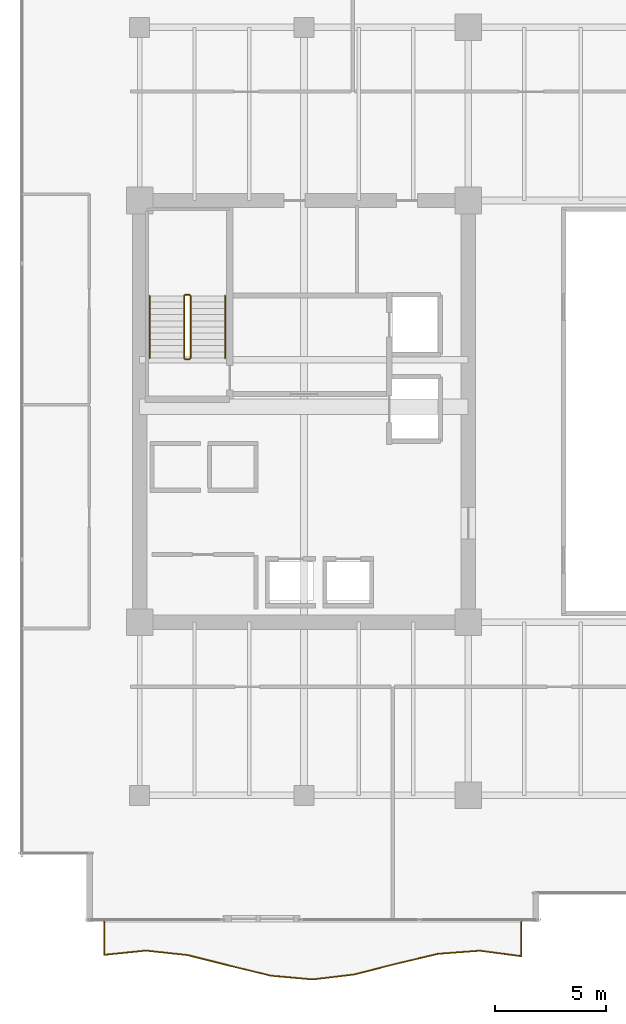
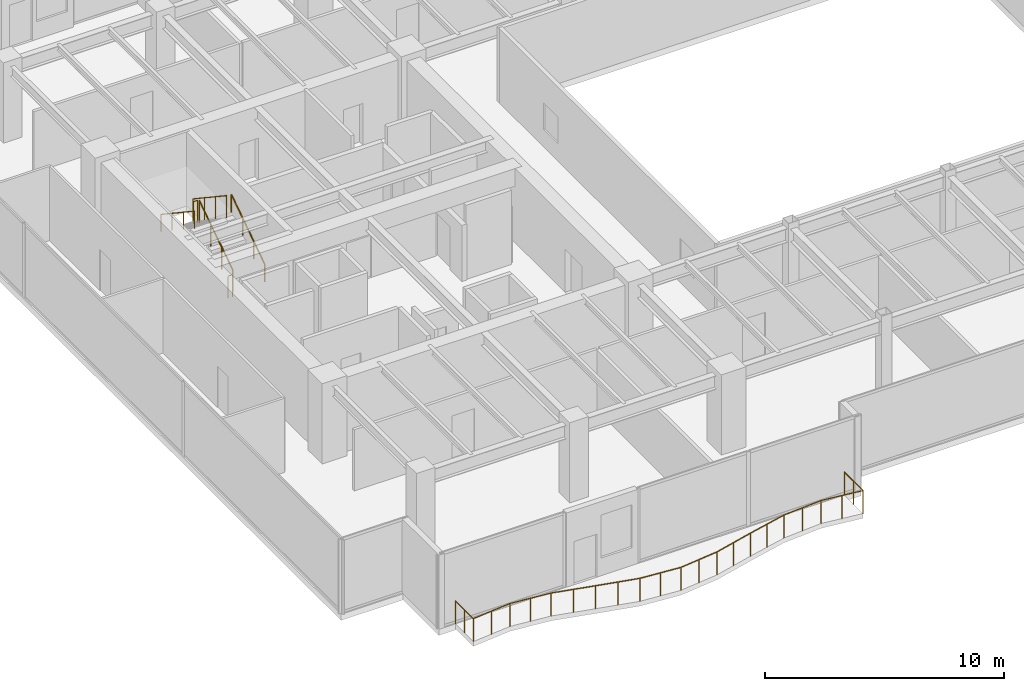
# One storey, part 28 of 30: 7 railings.
"""IFC4 building model written with IfcOpenShell, lengths in metres."""

import ifcopenshell
import ifcopenshell.guid

model = None  # the IFC model being written
_history = None  # IfcOwnerHistory: only IFC2X3 demands one
_inside = {}  # id of a spatial element -> (the spatial element, [elements in it])
_under = {}  # id of a project, library or spatial element -> (it, [spatial elements below it])
_declared = {}  # id of a project -> (the project, [libraries it declares])
_typed = {}  # id of a type object -> (the type object, [elements of that type])
_made_of = {}  # id of a material, layer set ... -> (it, [elements and type objects made of it])


def new_model(schema):
    """Start an empty IFC model of exactly this schema.

    Asked for "IFC4X3", IfcOpenShell would pick the latest addendum, in which some entities
    have other attributes; the version numbers below select the first issue.
    IFC2X3 requires an IfcOwnerHistory on every rooted entity: one is made here for all.
    """
    global model, _history
    if schema == "IFC4X3":
        model = ifcopenshell.file(schema_version=(4, 3, 0, 0))
    else:
        model = ifcopenshell.file(schema=schema)
    _inside.clear()
    _under.clear()
    _declared.clear()
    _typed.clear()
    _made_of.clear()
    _history = None
    if model.schema == "IFC2X3":
        org = make("IfcOrganization", Name="unknown")
        user = make(
            "IfcPersonAndOrganization",
            ThePerson=make("IfcPerson", FamilyName="unknown"),
            TheOrganization=org,
        )
        app = make(
            "IfcApplication",
            ApplicationDeveloper=org,
            Version="unknown",
            ApplicationFullName="unknown",
            ApplicationIdentifier="unknown",
        )
        _history = make(
            "IfcOwnerHistory",
            OwningUser=user,
            OwningApplication=app,
            ChangeAction="ADDED",
            CreationDate=0,
        )
    return model


def make(cls, **values):
    """One entity of the class cls with the attributes given. An attribute that is None is left unset."""
    return model.create_entity(
        cls, **{name: value for name, value in values.items() if value is not None}
    )


def rooted(cls, **values):
    """An entity with a GlobalId (a new one), such as an element, a storey or a relation."""
    return make(cls, GlobalId=ifcopenshell.guid.new(), OwnerHistory=_history, **values)


def si_unit(unit_type, name, prefix=None):
    """IfcSIUnit, for example si_unit("LENGTHUNIT", "METRE", prefix="MILLI")."""
    return make("IfcSIUnit", UnitType=unit_type, Prefix=prefix, Name=name)


def assignment(units):
    """IfcUnitAssignment: the units of a project."""
    return None if units is None else make("IfcUnitAssignment", Units=units)


def point(xyz):
    """IfcCartesianPoint."""
    return None if xyz is None else make("IfcCartesianPoint", Coordinates=xyz)


def direction(xyz):
    """IfcDirection."""
    return None if xyz is None else make("IfcDirection", DirectionRatios=xyz)


def frame(location, z_axis=None, x_axis=None):
    """IfcAxis2Placement3D, a coordinate frame: its origin and axes. An axis left out is left unset."""
    return make(
        "IfcAxis2Placement3D",
        Location=point(location),
        Axis=direction(z_axis),
        RefDirection=direction(x_axis),
    )


def frame_2d(location, x_axis=None):
    """IfcAxis2Placement2D, a coordinate frame in the plane: its origin and x axis."""
    return make(
        "IfcAxis2Placement2D", Location=point(location), RefDirection=direction(x_axis)
    )


def origin():
    """The frame at (0, 0, 0) with its axes left unset."""
    return frame((0.0, 0.0, 0.0))


def origin_2d():
    """The frame at (0, 0) in the plane with its x axis left unset."""
    return frame_2d((0.0, 0.0))


def place(relative_to, where):
    """IfcLocalPlacement: puts the frame where relative to a parent placement (None: the world)."""
    return make(
        "IfcLocalPlacement", PlacementRelTo=relative_to, RelativePlacement=where
    )


def context(
    kind, dimensions, precision=None, world=None, true_north=None, identifier=None
):
    """IfcGeometricRepresentationContext, for example the 3D "Model" context."""
    return make(
        "IfcGeometricRepresentationContext",
        ContextIdentifier=identifier,
        ContextType=kind,
        CoordinateSpaceDimension=dimensions,
        Precision=precision,
        WorldCoordinateSystem=world,
        TrueNorth=true_north,
    )


def subcontext(parent, identifier, kind, view, scale=None):
    """IfcGeometricRepresentationSubContext, for example "Body" below "Model"."""
    return make(
        "IfcGeometricRepresentationSubContext",
        ContextIdentifier=identifier,
        ContextType=kind,
        ParentContext=parent,
        TargetScale=scale,
        TargetView=view,
    )


def project(units=None, contexts=None):
    """IfcProject with its units and contexts."""
    return rooted(
        "IfcProject",
        Name="project",
        RepresentationContexts=contexts,
        UnitsInContext=assignment(units),
    )


def spatial(cls, under=None, at=None, **own):
    """A site, building, storey or space (cls), placed at a placement, below another one or the project."""
    s = rooted(cls, ObjectPlacement=at, **own)
    if under is not None:
        _under.setdefault(under.id(), (under, []))[1].append(s)
    return s


def profile(cls, at=None, kind="AREA", **sizes):
    """A parametric profile (cls). Its sizes go by their IFC names, for example OverallWidth=200.0."""
    return make(cls, ProfileType=kind, Position=at, **sizes)


def circle(**sizes):
    """IfcCircleProfileDef."""
    return profile("IfcCircleProfileDef", **sizes)


def extrude(swept, where, along, depth):
    """IfcExtrudedAreaSolid: the profile swept, set in the frame where, extruded along a direction by depth."""
    return make(
        "IfcExtrudedAreaSolid",
        SweptArea=swept,
        Position=where,
        ExtrudedDirection=direction(along),
        Depth=depth,
    )


def shape(context_of_items, identifier, shape_type, items):
    """IfcShapeRepresentation: the items that make up one representation, for example the "Body"."""
    return make(
        "IfcShapeRepresentation",
        ContextOfItems=context_of_items,
        RepresentationIdentifier=identifier,
        RepresentationType=shape_type,
        Items=items,
    )


def source(mapping_origin, context_of_items, identifier, shape_type, items):
    """IfcRepresentationMap: a shape defined once, which mapped items show again and again."""
    return make(
        "IfcRepresentationMap",
        MappingOrigin=mapping_origin,
        MappedRepresentation=shape(context_of_items, identifier, shape_type, items),
    )


def transform(
    local_origin,
    x_axis=None,
    y_axis=None,
    z_axis=None,
    scale=None,
    scale2=None,
    scale3=None,
    uniform=True,
):
    """IfcCartesianTransformationOperator3D, or its non-uniform kind. x_axis, y_axis, z_axis: its Axis1, 2, 3."""
    if uniform:
        return make(
            "IfcCartesianTransformationOperator3D",
            Axis1=direction(x_axis),
            Axis2=direction(y_axis),
            LocalOrigin=point(local_origin),
            Scale=scale,
            Axis3=direction(z_axis),
        )
    return make(
        "IfcCartesianTransformationOperator3DnonUniform",
        Axis1=direction(x_axis),
        Axis2=direction(y_axis),
        LocalOrigin=point(local_origin),
        Scale=scale,
        Axis3=direction(z_axis),
        Scale2=scale2,
        Scale3=scale3,
    )


def mapped(mapping_source, mapping_target):
    """IfcMappedItem: shows the shape of a source again, moved by a transform."""
    return make(
        "IfcMappedItem", MappingSource=mapping_source, MappingTarget=mapping_target
    )


def material(Name=None, Category=None):
    """IfcMaterial."""
    return make("IfcMaterial", Name=Name, Category=Category)


def made_of(thing, what):
    """Note that an element or type object is made of a material, layer set ...; save() writes the relation."""
    if what is not None:
        _made_of.setdefault(what.id(), (what, []))[1].append(thing)
    return thing


def type_object(cls, material=None, **own):
    """A type object (cls), such as IfcWallType, which elements share."""
    return made_of(rooted(cls, **own), material)


def type_shapes(of_type, sources):
    """Give a type object the sources (RepresentationMaps) that its elements show as mapped items."""
    of_type.RepresentationMaps = sources


def element(
    cls,
    number,
    at=None,
    inside=None,
    cuts=None,
    type_object=None,
    material=None,
    context=None,
    identifier="Body",
    shape_type=None,
    held_by="IfcProductDefinitionShape",
    body=None,
    shapes=None,
    **own,
):
    """One element of the class cls, such as IfcWall. Its Tag is "e" and its number.

    at: its placement. inside: the storey or other place that contains it. cuts: it is an
    opening in that element (IfcRelVoidsElement). A single representation is given by context,
    identifier, shape_type and body (its items); several are given by shapes. held_by: the class
    of the entity that holds the representations. save() writes the other relations.
    """
    e = rooted(cls, Tag="e%d" % number, ObjectPlacement=at, **own)
    if body is not None:
        shapes = [shape(context, identifier, shape_type, body)]
    if shapes is not None:
        e.Representation = make(held_by, Representations=shapes)
    if inside is not None:
        _inside.setdefault(inside.id(), (inside, []))[1].append(e)
    if cuts is not None:
        rooted(
            "IfcRelVoidsElement", RelatingBuildingElement=cuts, RelatedOpeningElement=e
        )
    if type_object is not None:
        _typed.setdefault(type_object.id(), (type_object, []))[1].append(e)
    return made_of(e, material)


def aggregate(whole, parts):
    """IfcRelAggregates: a whole, such as a stair, and the parts it consists of."""
    return rooted("IfcRelAggregates", RelatingObject=whole, RelatedObjects=parts)


def save(model, path):
    """Write the relations noted so far, then the file.

    IfcRelAggregates (storeys below a building ...), IfcRelContainedInSpatialStructure (elements
    in a storey), IfcRelDefinesByType, IfcRelAssociatesMaterial and IfcRelDeclares: one each for
    every whole, place, type object, material and project.
    """
    for whole, parts in _under.values():
        aggregate(whole, parts)
    for where, things in _inside.values():
        rooted(
            "IfcRelContainedInSpatialStructure",
            RelatedElements=things,
            RelatingStructure=where,
        )
    for kind, things in _typed.values():
        rooted("IfcRelDefinesByType", RelatedObjects=things, RelatingType=kind)
    for what, things in _made_of.values():
        rooted("IfcRelAssociatesMaterial", RelatedObjects=things, RelatingMaterial=what)
    for by, libraries in _declared.values():
        rooted("IfcRelDeclares", RelatingContext=by, RelatedDefinitions=libraries)
    model.write(path)


model = new_model("IFC4")

# Units and contexts
model_context = context("Model", 3, precision=1e-05, world=origin(), true_north=direction((0.0, 1.0)))
body_context = subcontext(model_context, "Body", "Model", "MODEL_VIEW")
ifc_project = project(units=[si_unit("LENGTHUNIT", "METRE"), si_unit("AREAUNIT", "SQUARE_METRE"), si_unit("VOLUMEUNIT", "CUBIC_METRE"), si_unit("PLANEANGLEUNIT", "RADIAN"), si_unit("MASSUNIT", "GRAM", prefix="KILO")], contexts=[model_context])

# Site, building, storey
site_placement = place(None, origin())
site = spatial("IfcSite", under=ifc_project, at=site_placement, CompositionType="ELEMENT")
building_placement = place(site_placement, origin())
building = spatial("IfcBuilding", under=site, at=building_placement, Name="Haelvirn Gate Laboratories", CompositionType="ELEMENT")
storey_placement = place(building_placement, frame((0.0, 0.0, 146.10009765625)))
storey = spatial("IfcBuildingStorey", under=building, at=storey_placement, Name="L35", CompositionType="ELEMENT", Elevation=146.10009765625)

# Railings
ifc_material_1 = material(Name="Laminated safety glass & bronze stainless steel 316L", Category="steel")
railing_type_1 = type_object("IfcRailingType", Name="RLG-BAL-1200", PredefinedType="BALUSTRADE", material=ifc_material_1)
shared_shape_1 = source(origin(), body_context, "Body", "SweptSolid", [
    extrude(circle(Radius=0.02392578125, at=origin_2d()), frame((0.0, 0.0, 1.17578125), z_axis=(0.0, -1.0, 0.0), x_axis=(1.0, 0.0, 0.0)), (0.0, 0.0, 1.0), 1.490478515625),
    extrude(circle(Radius=0.02392578125, at=origin_2d()), frame((0.0, -1.490478515625, 1.17578125), z_axis=(0.994908438237, 0.100782932705, 0.0), x_axis=(-0.100782932705, 0.994908438237, 0.0)), (0.0, 0.0, 1.0), 1.889404296875),
    extrude(circle(Radius=0.02392578125, at=origin_2d()), frame((1.8798828125, -1.300048828125, 1.17578125), z_axis=(0.994269522275, -0.106902371698, 0.0), x_axis=(0.106902371698, 0.994269522275, 0.0)), (0.0, 0.0, 1.0), 1.890869140625),
    extrude(circle(Radius=0.02392578125, at=origin_2d()), frame((3.760009765625, -1.502197265625, 1.17578125), z_axis=(0.969815635384, -0.243839359754, 0.0), x_axis=(0.243839359754, 0.969815635384, 0.0)), (0.0, 0.0, 1.0), 1.9384765625),
    extrude(circle(Radius=0.02392578125, at=origin_2d()), frame((5.639892578125, -1.974853515625, 1.17578125), z_axis=(0.971644887849, -0.23644494479, 0.0), x_axis=(0.23644494479, 0.971644887849, 0.0)), (0.0, 0.0, 1.0), 1.93505859375),
    extrude(circle(Radius=0.02392578125, at=origin_2d()), frame((7.52001953125, -2.432373046875, 1.17578125), z_axis=(0.996111840185, -0.088097683528, 0.0), x_axis=(0.088097683528, 0.996111840185, 0.0)), (0.0, 0.0, 1.0), 1.88720703125),
    extrude(circle(Radius=0.02392578125, at=origin_2d()), frame((9.39990234375, -2.5986328125, 1.17578125), z_axis=(0.992893910559, 0.119002867088, 0.0), x_axis=(-0.119002867088, 0.992893910559, 0.0)), (0.0, 0.0, 1.0), 1.8935546875),
    extrude(circle(Radius=0.02392578125, at=origin_2d()), frame((11.280029296875, -2.373291015625, 1.17578125), z_axis=(0.968765460354, 0.247978795111, 0.0), x_axis=(-0.247978795111, 0.968765460354, 0.0)), (0.0, 0.0, 1.0), 1.9404296875),
    extrude(circle(Radius=0.02392578125, at=origin_2d()), frame((13.159912109375, -1.89208984375, 1.17578125), z_axis=(0.972992976677, 0.230834718658, 0.0), x_axis=(-0.230834718658, 0.972992976677, 0.0)), (0.0, 0.0, 1.0), 1.932373046875),
    extrude(circle(Radius=0.02392578125, at=origin_2d()), frame((15.0400390625, -1.446044921875, 1.17578125), z_axis=(0.997175111878, 0.075111891544, 0.0), x_axis=(-0.075111891544, 0.997175111878, 0.0)), (0.0, 0.0, 1.0), 1.88525390625),
    extrude(circle(Radius=0.02392578125, at=origin_2d()), frame((16.919921875, -1.304443359375, 1.17578125), z_axis=(0.991409103519, -0.130797513203, 0.0), x_axis=(0.130797513203, 0.991409103519, 0.0)), (0.0, 0.0, 1.0), 1.896484375),
    extrude(circle(Radius=0.02392578125, at=origin_2d()), frame((18.800048828125, -1.552490234375, 1.17578125), z_axis=(0.0, 1.0, 0.0), x_axis=(-1.0, 0.0, 0.0)), (0.0, 0.0, 1.0), 1.552490234375),
    extrude(circle(Radius=0.02099609375, at=origin_2d()), origin(), (0.0, 0.0, 1.0), 1.15185546875),
    extrude(circle(Radius=0.02099609375, at=origin_2d()), frame((0.0, -0.7451171875, 0.0)), (0.0, 0.0, 1.0), 1.15185546875),
    extrude(circle(Radius=0.02099609375, at=origin_2d()), frame((0.0, -1.490478515625, 0.0)), (0.0, 0.0, 1.0), 1.15185546875),
    extrude(circle(Radius=0.02099609375, at=origin_2d()), frame((0.93994140625, -1.395263671875, 0.0)), (0.0, 0.0, 1.0), 1.15185546875),
    extrude(circle(Radius=0.02099609375, at=origin_2d()), frame((1.8798828125, -1.300048828125, 0.0)), (0.0, 0.0, 1.0), 1.15185546875),
    extrude(circle(Radius=0.02099609375, at=origin_2d()), frame((2.81982421875, -1.401123046875, 0.0)), (0.0, 0.0, 1.0), 1.15185546875),
    extrude(circle(Radius=0.02099609375, at=origin_2d()), frame((3.760009765625, -1.502197265625, 0.0)), (0.0, 0.0, 1.0), 1.15185546875),
    extrude(circle(Radius=0.02099609375, at=origin_2d()), frame((4.699951171875, -1.738525390625, 0.0)), (0.0, 0.0, 1.0), 1.15185546875),
    extrude(circle(Radius=0.02099609375, at=origin_2d()), frame((5.639892578125, -1.974853515625, 0.0)), (0.0, 0.0, 1.0), 1.15185546875),
    extrude(circle(Radius=0.02099609375, at=origin_2d()), frame((6.580078125, -2.20361328125, 0.0)), (0.0, 0.0, 1.0), 1.15185546875),
    extrude(circle(Radius=0.02099609375, at=origin_2d()), frame((7.52001953125, -2.432373046875, 0.0)), (0.0, 0.0, 1.0), 1.15185546875),
    extrude(circle(Radius=0.02099609375, at=origin_2d()), frame((8.4599609375, -2.515625, 0.0)), (0.0, 0.0, 1.0), 1.15185546875),
    extrude(circle(Radius=0.02099609375, at=origin_2d()), frame((9.39990234375, -2.5986328125, 0.0)), (0.0, 0.0, 1.0), 1.15185546875),
    extrude(circle(Radius=0.02099609375, at=origin_2d()), frame((10.33984375, -2.48583984375, 0.0)), (0.0, 0.0, 1.0), 1.15185546875),
    extrude(circle(Radius=0.02099609375, at=origin_2d()), frame((11.280029296875, -2.373291015625, 0.0)), (0.0, 0.0, 1.0), 1.15185546875),
    extrude(circle(Radius=0.02099609375, at=origin_2d()), frame((12.219970703125, -2.1328125, 0.0)), (0.0, 0.0, 1.0), 1.15185546875),
    extrude(circle(Radius=0.02099609375, at=origin_2d()), frame((13.159912109375, -1.89208984375, 0.0)), (0.0, 0.0, 1.0), 1.15185546875),
    extrude(circle(Radius=0.02099609375, at=origin_2d()), frame((14.10009765625, -1.6689453125, 0.0)), (0.0, 0.0, 1.0), 1.15185546875),
    extrude(circle(Radius=0.02099609375, at=origin_2d()), frame((15.0400390625, -1.446044921875, 0.0)), (0.0, 0.0, 1.0), 1.15185546875),
    extrude(circle(Radius=0.02099609375, at=origin_2d()), frame((15.97998046875, -1.375244140625, 0.0)), (0.0, 0.0, 1.0), 1.15185546875),
    extrude(circle(Radius=0.02099609375, at=origin_2d()), frame((16.919921875, -1.304443359375, 0.0)), (0.0, 0.0, 1.0), 1.15185546875),
    extrude(circle(Radius=0.02099609375, at=origin_2d()), frame((17.85986328125, -1.428466796875, 0.0)), (0.0, 0.0, 1.0), 1.15185546875),
    extrude(circle(Radius=0.02099609375, at=origin_2d()), frame((18.800048828125, -1.552490234375, 0.0)), (0.0, 0.0, 1.0), 1.15185546875),
    extrude(circle(Radius=0.02099609375, at=origin_2d()), frame((18.800048828125, -0.7763671875, 0.0)), (0.0, 0.0, 1.0), 1.15185546875),
    extrude(circle(Radius=0.02099609375, at=origin_2d()), frame((18.800048828125, 0.0, 0.0)), (0.0, 0.0, 1.0), 1.15185546875),
])
type_shapes(railing_type_1, [shared_shape_1])
railing_1_placement = place(storey_placement, frame((5.800048828125, 1.300048828125, 0.0)))
element("IfcRailing", 1, at=railing_1_placement, inside=storey, type_object=railing_type_1, Name="L35 Wave Balcony Balustrade WL-S", PredefinedType="BALUSTRADE", context=body_context, shape_type="MappedRepresentation", body=[
    mapped(shared_shape_1, transform((0.0, 0.0, 0.0), scale=1.0)),
])
ifc_material_2 = material(Name="Galvanised steel SM355 & stainless top rail", Category="steel")
railing_type_2 = type_object("IfcRailingType", Name="RL-GUARD-1150", PredefinedType="GUARDRAIL", material=ifc_material_2)
shared_shape_2 = source(origin(), body_context, "Body", "SweptSolid", [
    extrude(circle(Radius=0.02392578125, at=origin_2d()), frame((0.0, 0.0, 1.1259765625), z_axis=(-1.0, 0.0, 0.0), x_axis=(0.0, -1.0, 0.0)), (0.0, 0.0, 1.0), 0.199951171875),
    extrude(circle(Radius=0.02099609375, at=origin_2d()), origin(), (0.0, 0.0, 1.0), 1.101806640625),
    extrude(circle(Radius=0.02099609375, at=origin_2d()), frame((-0.199951171875, 0.0, 0.0)), (0.0, 0.0, 1.0), 1.101806640625),
])
for number, where, name in (
    (2, (9.64990234375, 29.550048828125, 2.0498046875), "L35 ST1 stair guard 2"),
    (3, (9.64990234375, 26.64990234375, 0.0), "L35 ST1 stair guard 4"),
):
    element("IfcRailing", number, at=place(storey_placement, frame(where)), inside=storey, type_object=railing_type_2, Name=name, PredefinedType="GUARDRAIL", context=body_context, shape_type="MappedRepresentation", body=[
        mapped(shared_shape_2, transform((0.0, 0.0, 0.0), scale=1.0)),
    ])
shared_shape_3 = source(origin(), body_context, "Body", "SweptSolid", [
    extrude(circle(Radius=0.02392578125, at=origin_2d()), frame((0.0, 0.0, 1.1259765625), z_axis=(0.0, 0.832485552168, 0.554046753832), x_axis=(-1.0, 0.0, 0.0)), (0.0, 0.0, 1.0), 3.363525390625),
    extrude(circle(Radius=0.02099609375, at=origin_2d()), origin(), (0.0, 0.0, 1.0), 1.101806640625),
    extrude(circle(Radius=0.02099609375, at=origin_2d()), frame((0.0, 0.933349609375, 0.62109375)), (0.0, 0.0, 1.0), 1.101806640625),
    extrude(circle(Radius=0.02099609375, at=origin_2d()), frame((0.0, 1.86669921875, 1.242431640625)), (0.0, 0.0, 1.0), 1.101806640625),
    extrude(circle(Radius=0.02099609375, at=origin_2d()), frame((0.0, 2.800048828125, 1.863525390625)), (0.0, 0.0, 1.0), 1.101806640625),
])
railing_2_placement = place(storey_placement, frame((9.699951171875, 26.699951171875, 0.186279296875)))
element("IfcRailing", 4, at=railing_2_placement, inside=storey, type_object=railing_type_2, Name="L35 ST1 stair guard 1", PredefinedType="GUARDRAIL", context=body_context, shape_type="MappedRepresentation", body=[
    mapped(shared_shape_3, transform((0.0, 0.0, 0.0), scale=1.0)),
])
ifc_material_3 = material(Name="Brushed stainless steel 316L", Category="steel")
railing_type_3 = type_object("IfcRailingType", Name="RL-HAND-920", PredefinedType="HANDRAIL", material=ifc_material_3)
shared_shape_4 = source(origin(), body_context, "Body", "SweptSolid", [
    extrude(circle(Radius=0.02392578125, at=origin_2d()), frame((0.0, 0.0, 0.8759765625), z_axis=(0.0, 0.832485552168, 0.554046753832), x_axis=(-1.0, 0.0, 0.0)), (0.0, 0.0, 1.0), 3.363525390625),
    extrude(circle(Radius=0.02099609375, at=origin_2d()), origin(), (0.0, 0.0, 1.0), 0.851806640625),
    extrude(circle(Radius=0.02099609375, at=origin_2d()), frame((0.0, 0.933349609375, 0.62109375)), (0.0, 0.0, 1.0), 0.851806640625),
    extrude(circle(Radius=0.02099609375, at=origin_2d()), frame((0.0, 1.86669921875, 1.242431640625)), (0.0, 0.0, 1.0), 0.851806640625),
    extrude(circle(Radius=0.02099609375, at=origin_2d()), frame((0.0, 2.800048828125, 1.863525390625)), (0.0, 0.0, 1.0), 0.851806640625),
])
railing_3_placement = place(storey_placement, frame((11.25, 26.699951171875, 0.186279296875)))
element("IfcRailing", 5, at=railing_3_placement, inside=storey, type_object=railing_type_3, Name="L35 ST1 stair handrail 1", PredefinedType="HANDRAIL", context=body_context, shape_type="MappedRepresentation", body=[
    mapped(shared_shape_4, transform((0.0, 0.0, 0.0), scale=1.0)),
])
shared_shape_5 = source(origin(), body_context, "Body", "SweptSolid", [
    extrude(circle(Radius=0.02392578125, at=origin_2d()), frame((0.0, 0.0, 1.1259765625), z_axis=(0.0, -0.832485552168, 0.554046753832), x_axis=(1.0, 0.0, 0.0)), (0.0, 0.0, 1.0), 3.363525390625),
    extrude(circle(Radius=0.02099609375, at=origin_2d()), origin(), (0.0, 0.0, 1.0), 1.101806640625),
    extrude(circle(Radius=0.02099609375, at=origin_2d()), frame((0.0, -0.933349609375, 0.62109375)), (0.0, 0.0, 1.0), 1.101806640625),
    extrude(circle(Radius=0.02099609375, at=origin_2d()), frame((0.0, -1.86669921875, 1.242431640625)), (0.0, 0.0, 1.0), 1.101806640625),
    extrude(circle(Radius=0.02099609375, at=origin_2d()), frame((0.0, -2.800048828125, 1.863525390625)), (0.0, 0.0, 1.0), 1.101806640625),
])
type_shapes(railing_type_2, [shared_shape_2, shared_shape_3, shared_shape_5])
railing_4_placement = place(storey_placement, frame((9.39990234375, 29.5, 2.236328125)))
element("IfcRailing", 6, at=railing_4_placement, inside=storey, type_object=railing_type_2, Name="L35 ST1 stair guard 3", PredefinedType="GUARDRAIL", context=body_context, shape_type="MappedRepresentation", body=[
    mapped(shared_shape_5, transform((0.0, 0.0, 0.0), scale=1.0)),
])
shared_shape_6 = source(origin(), body_context, "Body", "SweptSolid", [
    extrude(circle(Radius=0.02392578125, at=origin_2d()), frame((0.0, 0.0, 0.8759765625), z_axis=(0.0, -0.832485552168, 0.554046753832), x_axis=(1.0, 0.0, 0.0)), (0.0, 0.0, 1.0), 3.363525390625),
    extrude(circle(Radius=0.02099609375, at=origin_2d()), origin(), (0.0, 0.0, 1.0), 0.851806640625),
    extrude(circle(Radius=0.02099609375, at=origin_2d()), frame((0.0, -0.933349609375, 0.62109375)), (0.0, 0.0, 1.0), 0.851806640625),
    extrude(circle(Radius=0.02099609375, at=origin_2d()), frame((0.0, -1.86669921875, 1.242431640625)), (0.0, 0.0, 1.0), 0.851806640625),
    extrude(circle(Radius=0.02099609375, at=origin_2d()), frame((0.0, -2.800048828125, 1.863525390625)), (0.0, 0.0, 1.0), 0.851806640625),
])
type_shapes(railing_type_3, [shared_shape_4, shared_shape_6])
railing_5_placement = place(storey_placement, frame((7.85009765625, 29.5, 2.236328125)))
element("IfcRailing", 7, at=railing_5_placement, inside=storey, type_object=railing_type_3, Name="L35 ST1 stair handrail 2", PredefinedType="HANDRAIL", context=body_context, shape_type="MappedRepresentation", body=[
    mapped(shared_shape_6, transform((0.0, 0.0, 0.0), scale=1.0)),
])

save(model, "model.ifc")
